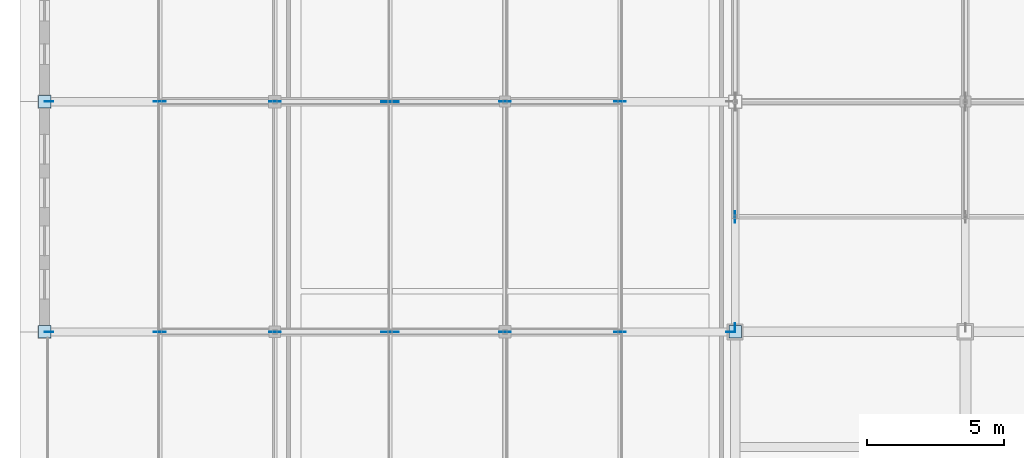
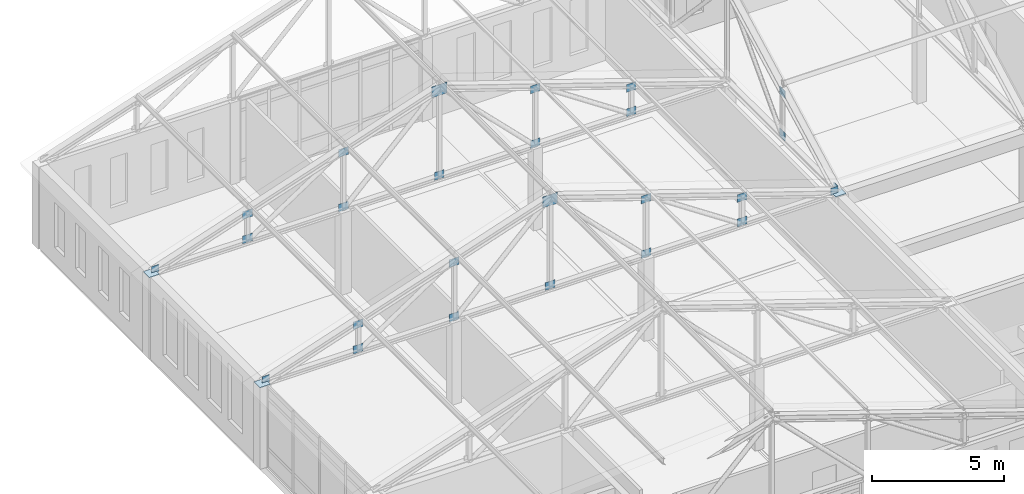
# One storey, part 34 of 56: 29 plates.
"""IFC4 building model written with IfcOpenShell, lengths in metres."""

from ifc_helpers import new_model, si_unit, direction, frame, origin, origin_2d, place, context, subcontext, project, spatial, rectangle, extrude, material, layer, layer_set, type_object, element, save


model = new_model("IFC4")

# Units and contexts
model_context = context("Model", 3, precision=1e-05, world=origin(), true_north=direction((0.0, 1.0)))
body_context = subcontext(model_context, "Body", "Model", "MODEL_VIEW")
ifc_project = project(units=[si_unit("LENGTHUNIT", "METRE"), si_unit("AREAUNIT", "SQUARE_METRE"), si_unit("VOLUMEUNIT", "CUBIC_METRE"), si_unit("PLANEANGLEUNIT", "RADIAN"), si_unit("MASSUNIT", "GRAM", prefix="KILO")], contexts=[model_context])

# Site, building, storey
site_placement = place(None, origin())
site = spatial("IfcSite", under=ifc_project, at=site_placement, CompositionType="ELEMENT")
building_placement = place(site_placement, origin())
building = spatial("IfcBuilding", under=site, at=building_placement, Name="Kveldsbrygga Polytechnic", CompositionType="ELEMENT")
storey_placement = place(building_placement, frame((0.0, 0.0, 18.02001953125)))
storey = spatial("IfcBuildingStorey", under=building, at=storey_placement, Name="L04", CompositionType="ELEMENT", Elevation=18.02001953125)

# Plates
ifc_material = material(Name="Steel S355", Category="steel")
ifc_layer_1 = layer(ifc_material, 0.030029296875)
ifc_layer_set_1 = layer_set([ifc_layer_1], Name="Steel S355")
plate_type_1 = type_object("IfcPlateType", Name="CAP-BEAR-450", PredefinedType="SHEET", material=ifc_layer_set_1)
for number, where, z_axis, x_axis, name in (
    (1, (100.800048828125, 100.800048828125, 3.75), (0.0, 0.0, 1.0), (1.0, 0.0, 0.0), "Truss Bearing Plate V4NE5-T03-A"),
    (2, (126.0, 100.800048828125, 3.75), (0.0, 0.0, 1.0), (1.0, 0.0, 0.0), "Truss Bearing Plate V4NE5-T03-B"),
    (3, (100.800048828125, 109.199951171875, 3.75), (0.0, 0.0, 1.0), (1.0, 0.0, 0.0), "Truss Bearing Plate V4NE5-T04-A"),
):
    element("IfcPlate", number, at=place(storey_placement, frame(where, z_axis=z_axis, x_axis=x_axis)), inside=storey, type_object=plate_type_1, Name=name, PredefinedType="SHEET", context=body_context, shape_type="SweptSolid", body=[
        extrude(rectangle(XDim=0.449951171875, YDim=0.449951171875, at=origin_2d()), origin(), (0.0, 0.0, 1.0), 0.030029296875),
    ])
ifc_layer_2 = layer(ifc_material, 0.02490234375)
ifc_layer_set_2 = layer_set([ifc_layer_2], Name="Steel S355")
plate_type_2 = type_object("IfcPlateType", Name="GUS-APEX-650", PredefinedType="SHEET", material=ifc_layer_set_2)
for number, where, z_axis, x_axis, name in (
    (4, (113.39990234375, 100.800048828125, 7.580078125), (0.0, 0.0, 1.0), (1.0, 0.0, 0.0), "Truss Gusset Plate V4NE5-T03-GP-3"),
    (5, (113.39990234375, 109.199951171875, 7.580078125), (0.0, 0.0, 1.0), (1.0, 0.0, 0.0), "Truss Gusset Plate V4NE5-T04-GP-3"),
):
    element("IfcPlate", number, at=place(storey_placement, frame(where, z_axis=z_axis, x_axis=x_axis)), inside=storey, type_object=plate_type_2, Name=name, PredefinedType="SHEET", context=body_context, shape_type="SweptSolid", body=[
        extrude(rectangle(XDim=0.64990234375, YDim=0.02490234375, at=origin_2d()), origin(), (0.0, 0.0, 1.0), 0.5),
    ])
ifc_layer_3 = layer(ifc_material, 0.01806640625)
ifc_layer_set_3 = layer_set([ifc_layer_3], Name="Steel S355")
plate_type_3 = type_object("IfcPlateType", Name="GUS-BRACE-320", PredefinedType="SHEET", material=ifc_layer_set_3)
for number, where, z_axis, x_axis, name in (
    (6, (100.9599609375, 100.800048828125, 3.73974609375), (0.0, 0.0, 1.0), (1.0, 0.0, 0.0), "Truss Eaves Node Gusset V4NE5-T03-EGP-A"),
    (7, (125.840087890625, 100.800048828125, 3.73974609375), (0.0, 0.0, 1.0), (1.0, 0.0, 0.0), "Truss Eaves Node Gusset V4NE5-T03-EGP-B"),
    (8, (100.9599609375, 109.199951171875, 3.73974609375), (0.0, 0.0, 1.0), (1.0, 0.0, 0.0), "Truss Eaves Node Gusset V4NE5-T04-EGP-A"),
):
    element("IfcPlate", number, at=place(storey_placement, frame(where, z_axis=z_axis, x_axis=x_axis)), inside=storey, type_object=plate_type_3, Name=name, PredefinedType="SHEET", context=body_context, shape_type="SweptSolid", body=[
        extrude(rectangle(XDim=0.320068359375, YDim=0.01806640625, at=origin_2d()), origin(), (0.0, 0.0, 1.0), 0.320068359375),
    ])
plate_placement = place(storey_placement, frame((126.0, 100.9599609375, 3.73974609375), z_axis=(0.0, 0.0, 1.0), x_axis=(1.0, 0.0, 0.0)))
element("IfcPlate", 9, at=plate_placement, inside=storey, type_object=plate_type_3, Name="Truss Eaves Node Gusset V4N5-T01-EGP-A", PredefinedType="SHEET", context=body_context, shape_type="SweptSolid", body=[
    extrude(rectangle(XDim=0.01806640625, YDim=0.320068359375, at=origin_2d()), origin(), (0.0, 0.0, 1.0), 0.320068359375),
])
ifc_layer_4 = layer(ifc_material, 0.02001953125)
ifc_layer_set_4 = layer_set([ifc_layer_4], Name="Steel S355")
plate_type_4 = type_object("IfcPlateType", Name="GUS-LECT-420", PredefinedType="SHEET", material=ifc_layer_set_4)
for number, where, z_axis, x_axis, name in (
    (10, (105.0, 100.800048828125, 4.85498046875), (0.0, 0.0, 1.0), (1.0, 0.0, 0.0), "Truss Gusset Plate V4NE5-T03-GP-1"),
    (11, (105.0, 100.800048828125, 3.724853515625), (0.0, 0.0, 1.0), (1.0, 0.0, 0.0), "Truss Bottom-Chord Node Gusset V4NE5-T03-BGP-1"),
    (12, (109.199951171875, 100.800048828125, 6.2548828125), (0.0, 0.0, 1.0), (1.0, 0.0, 0.0), "Truss Gusset Plate V4NE5-T03-GP-2"),
    (13, (109.199951171875, 100.800048828125, 3.724853515625), (0.0, 0.0, 1.0), (1.0, 0.0, 0.0), "Truss Bottom-Chord Node Gusset V4NE5-T03-BGP-2"),
    (14, (113.39990234375, 100.800048828125, 3.724853515625), (0.0, 0.0, 1.0), (1.0, 0.0, 0.0), "Truss Bottom-Chord Node Gusset V4NE5-T03-BGP-3"),
    (15, (117.60009765625, 100.800048828125, 6.2548828125), (0.0, 0.0, 1.0), (1.0, 0.0, 0.0), "Truss Gusset Plate V4NE5-T03-GP-4"),
    (16, (117.60009765625, 100.800048828125, 3.724853515625), (0.0, 0.0, 1.0), (1.0, 0.0, 0.0), "Truss Bottom-Chord Node Gusset V4NE5-T03-BGP-4"),
    (17, (121.800048828125, 100.800048828125, 4.85498046875), (0.0, 0.0, 1.0), (1.0, 0.0, 0.0), "Truss Gusset Plate V4NE5-T03-GP-5"),
    (18, (121.800048828125, 100.800048828125, 3.724853515625), (0.0, 0.0, 1.0), (1.0, 0.0, 0.0), "Truss Bottom-Chord Node Gusset V4NE5-T03-BGP-5"),
    (19, (105.0, 109.199951171875, 4.85498046875), (0.0, 0.0, 1.0), (1.0, 0.0, 0.0), "Truss Gusset Plate V4NE5-T04-GP-1"),
    (20, (105.0, 109.199951171875, 3.724853515625), (0.0, 0.0, 1.0), (1.0, 0.0, 0.0), "Truss Bottom-Chord Node Gusset V4NE5-T04-BGP-1"),
    (21, (109.199951171875, 109.199951171875, 6.2548828125), (0.0, 0.0, 1.0), (1.0, 0.0, 0.0), "Truss Gusset Plate V4NE5-T04-GP-2"),
    (22, (109.199951171875, 109.199951171875, 3.724853515625), (0.0, 0.0, 1.0), (1.0, 0.0, 0.0), "Truss Bottom-Chord Node Gusset V4NE5-T04-BGP-2"),
    (23, (113.39990234375, 109.199951171875, 3.724853515625), (0.0, 0.0, 1.0), (1.0, 0.0, 0.0), "Truss Bottom-Chord Node Gusset V4NE5-T04-BGP-3"),
    (24, (117.60009765625, 109.199951171875, 6.2548828125), (0.0, 0.0, 1.0), (1.0, 0.0, 0.0), "Truss Gusset Plate V4NE5-T04-GP-4"),
    (25, (117.60009765625, 109.199951171875, 3.724853515625), (0.0, 0.0, 1.0), (1.0, 0.0, 0.0), "Truss Bottom-Chord Node Gusset V4NE5-T04-BGP-4"),
    (26, (121.800048828125, 109.199951171875, 4.85498046875), (0.0, 0.0, 1.0), (1.0, 0.0, 0.0), "Truss Gusset Plate V4NE5-T04-GP-5"),
    (27, (121.800048828125, 109.199951171875, 3.724853515625), (0.0, 0.0, 1.0), (1.0, 0.0, 0.0), "Truss Bottom-Chord Node Gusset V4NE5-T04-BGP-5"),
):
    element("IfcPlate", number, at=place(storey_placement, frame(where, z_axis=z_axis, x_axis=x_axis)), inside=storey, type_object=plate_type_4, Name=name, PredefinedType="SHEET", context=body_context, shape_type="SweptSolid", body=[
        extrude(rectangle(XDim=0.419921875, YDim=0.02001953125, at=origin_2d()), origin(), (0.0, 0.0, 1.0), 0.35009765625),
    ])
for number, where, z_axis, x_axis, name in (
    (28, (126.0, 105.0, 5.679931640625), (0.0, 0.0, 1.0), (1.0, 0.0, 0.0), "Truss Gusset Plate V4N5-T01-GP-1"),
    (29, (126.0, 105.0, 3.724853515625), (0.0, 0.0, 1.0), (1.0, 0.0, 0.0), "Truss Bottom-Chord Node Gusset V4N5-T01-BGP-1"),
):
    element("IfcPlate", number, at=place(storey_placement, frame(where, z_axis=z_axis, x_axis=x_axis)), inside=storey, type_object=plate_type_4, Name=name, PredefinedType="SHEET", context=body_context, shape_type="SweptSolid", body=[
        extrude(rectangle(XDim=0.02001953125, YDim=0.419921875, at=origin_2d()), origin(), (0.0, 0.0, 1.0), 0.35009765625),
    ])

save(model, "model.ifc")
